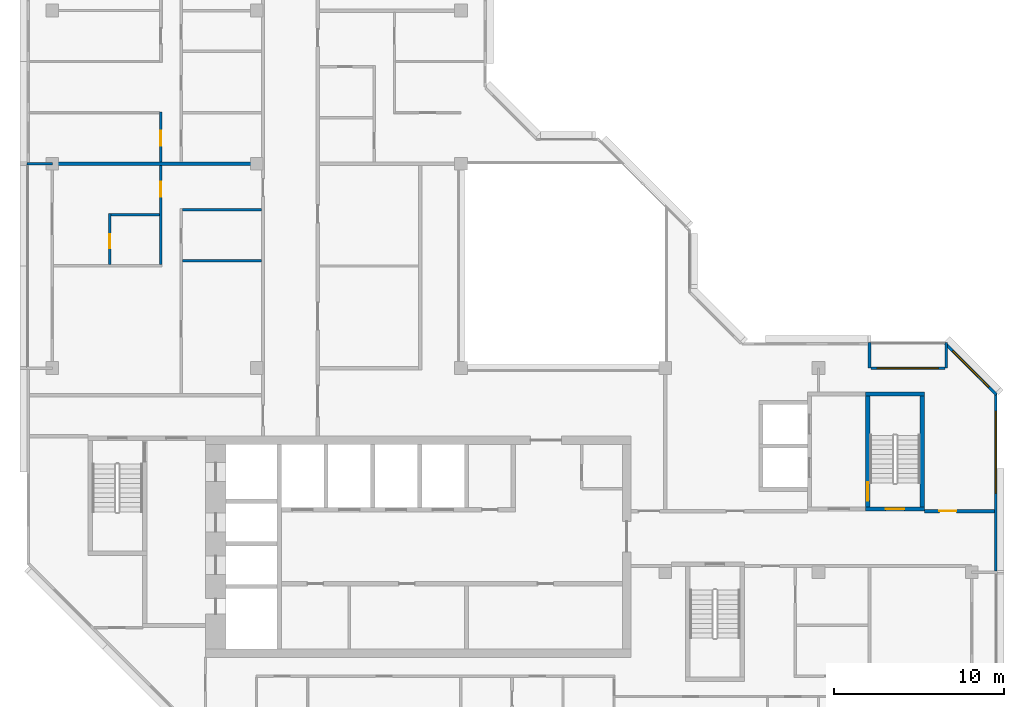
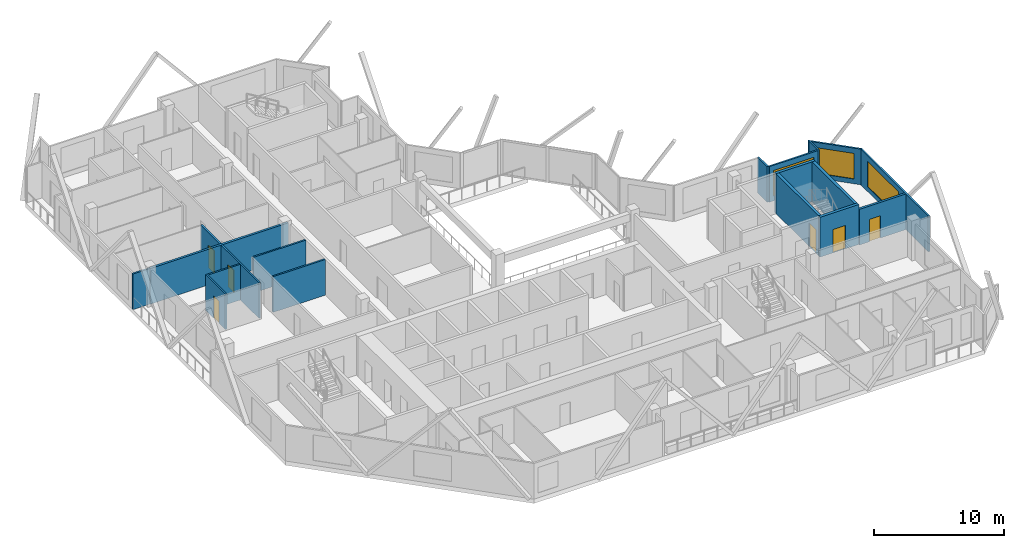
# One storey, part 7 of 12: 18 walls, 6 doors, 3 windows, 9 openings.
"""IFC4 building model written with IfcOpenShell, lengths in metres."""

from ifc_helpers import new_model, si_unit, direction, frame, frame_2d, origin, place, context, subcontext, project, spatial, rectangle, extrude, material, layer, layer_set, type_object, element, fill, save


model = new_model("IFC4")

# Units and contexts
model_context = context("Model", 3, precision=1e-05, world=origin(), true_north=direction((0.0, 1.0)))
body_context = subcontext(model_context, "Body", "Model", "MODEL_VIEW")
ifc_project = project(units=[si_unit("LENGTHUNIT", "METRE"), si_unit("AREAUNIT", "SQUARE_METRE"), si_unit("VOLUMEUNIT", "CUBIC_METRE"), si_unit("PLANEANGLEUNIT", "RADIAN"), si_unit("MASSUNIT", "GRAM", prefix="KILO")], contexts=[model_context])

# Site, building, storey
site_placement = place(None, origin())
site = spatial("IfcSite", under=ifc_project, at=site_placement, CompositionType="ELEMENT")
building_placement = place(site_placement, origin())
building = spatial("IfcBuilding", under=site, at=building_placement, Name="Chenar Terraces", CompositionType="ELEMENT")
storey_placement = place(building_placement, frame((0.0, 0.0, 338.89990234375)))
storey = spatial("IfcBuildingStorey", under=building, at=storey_placement, Name="L78", CompositionType="ELEMENT", Elevation=338.89990234375)

# Wall, opening, door
ifc_material_1 = material(Name="Concrete C50/60", Category="concrete")
ifc_layer_1 = layer(ifc_material_1, 0.25)
ifc_layer_set_1 = layer_set([ifc_layer_1], Name="Concrete C50/60")
wall_type_1 = type_object("IfcWallType", Name="Core wall 250 Concrete C50/60", PredefinedType="SHEAR", material=ifc_layer_set_1)
wall_1_placement = place(storey_placement, frame((47.77490234375, 15.72509765625, 0.0), z_axis=(0.0, 0.0, 1.0), x_axis=(1.0, 0.0, 0.0)))
wall_1 = element("IfcWall", 1, at=wall_1_placement, inside=storey, type_object=wall_type_1, Name="Core wall ST3_S L78", PredefinedType="SHEAR", context=body_context, shape_type="SweptSolid", body=[
    extrude(rectangle(XDim=3.4501953125, YDim=0.25, at=frame_2d((1.72509765625, 0.0))), origin(), (0.0, 0.0, 1.0), 3.75),
])
opening_1_placement = place(wall_1_placement, frame((1.175048828125, 0.0, 0.0)))
opening_1 = element("IfcOpeningElement", 2, at=opening_1_placement, cuts=wall_1, Name="Opening DL78-C8", PredefinedType="OPENING", context=body_context, shape_type="SweptSolid", body=[
    extrude(rectangle(XDim=1.10009765625, YDim=2.199951171875, at=frame_2d((0.550048828125, 1.10009765625))), frame((0.0, 0.135009765625, 0.0), z_axis=(0.0, -1.0, 0.0), x_axis=(1.0, 0.0, 0.0)), (0.0, 0.0, 1.0), 0.27001953125),
])
ifc_material_2 = material(Name="Steel-framed fire-resisting door leaf", Category="steel")
door_type_1 = type_object("IfcDoorType", Name="Stair fire door FD60 1100 x 2200", OperationType="SINGLE_SWING_LEFT", PredefinedType="DOOR", material=ifc_material_2)
door_1_placement = place(opening_1_placement, frame((1.10009765625, 0.0, 0.0), z_axis=(0.0, 0.0, 1.0), x_axis=(-1.0, 0.0, 0.0)))
door_1 = element("IfcDoor", 3, at=door_1_placement, inside=storey, type_object=door_type_1, Name="Stair door DL78-C8", OperationType="SINGLE_SWING_LEFT", OverallHeight=2.199951171875, OverallWidth=1.10009765625, PredefinedType="DOOR", context=body_context, shape_type="SweptSolid", body=[
    extrude(rectangle(XDim=1.10009765625, YDim=2.199951171875, at=frame_2d((0.550048828125, 1.10009765625))), frame((0.0, 0.02490234375, 0.0), z_axis=(0.0, -1.0, 0.0), x_axis=(1.0, 0.0, 0.0)), (0.0, 0.0, 1.0), 0.050048828125),
])
fill(opening_1, door_1)

# Wall
wall_2_placement = place(storey_placement, frame((47.77490234375, 22.47509765625, 0.0), z_axis=(0.0, 0.0, 1.0), x_axis=(1.0, 0.0, 0.0)))
element("IfcWall", 4, at=wall_2_placement, inside=storey, type_object=wall_type_1, Name="Core wall ST3_N L78", PredefinedType="SHEAR", context=body_context, shape_type="SweptSolid", body=[
    extrude(rectangle(XDim=3.4501953125, YDim=0.25, at=frame_2d((1.72509765625, 0.0))), origin(), (0.0, 0.0, 1.0), 3.75),
])

# Wall, opening, door
wall_3_placement = place(storey_placement, frame((47.89990234375, 15.85009765625, 0.0), z_axis=(0.0, 0.0, 1.0), x_axis=(0.0, 1.0, 0.0)))
wall_3 = element("IfcWall", 5, at=wall_3_placement, inside=storey, type_object=wall_type_1, Name="Core wall ST3_W L78", PredefinedType="SHEAR", context=body_context, shape_type="SweptSolid", body=[
    extrude(rectangle(XDim=6.5, YDim=0.25, at=frame_2d((3.25, 0.0))), origin(), (0.0, 0.0, 1.0), 3.75),
])
opening_2_placement = place(wall_3_placement, frame((0.35009765625, 0.0, 0.0)))
opening_2 = element("IfcOpeningElement", 6, at=opening_2_placement, cuts=wall_3, Name="Opening DL78-C11", PredefinedType="OPENING", context=body_context, shape_type="SweptSolid", body=[
    extrude(rectangle(XDim=1.10009765625, YDim=2.199951171875, at=frame_2d((0.550048828125, 1.10009765625))), frame((0.0, 0.135009765625, 0.0), z_axis=(0.0, -1.0, 0.0), x_axis=(1.0, 0.0, 0.0)), (0.0, 0.0, 1.0), 0.27001953125),
])
door_2_placement = place(opening_2_placement, frame((1.10009765625, 0.0, 0.0), z_axis=(0.0, 0.0, 1.0), x_axis=(-1.0, 0.0, 0.0)))
door_2 = element("IfcDoor", 7, at=door_2_placement, inside=storey, type_object=door_type_1, Name="Stair door DL78-C11", OperationType="SINGLE_SWING_RIGHT", OverallHeight=2.199951171875, OverallWidth=1.10009765625, PredefinedType="DOOR", context=body_context, shape_type="SweptSolid", body=[
    extrude(rectangle(XDim=1.10009765625, YDim=2.199951171875, at=frame_2d((0.550048828125, 1.10009765625))), frame((0.0, 0.02490234375, 0.0), z_axis=(0.0, -1.0, 0.0), x_axis=(1.0, 0.0, 0.0)), (0.0, 0.0, 1.0), 0.050048828125),
])
fill(opening_2, door_2)

# Wall
wall_4_placement = place(storey_placement, frame((51.10009765625, 15.85009765625, 0.0), z_axis=(0.0, 0.0, 1.0), x_axis=(0.0, 1.0, 0.0)))
element("IfcWall", 8, at=wall_4_placement, inside=storey, type_object=wall_type_1, Name="Core wall ST3_E L78", PredefinedType="SHEAR", context=body_context, shape_type="SweptSolid", body=[
    extrude(rectangle(XDim=6.5, YDim=0.25, at=frame_2d((3.25, 0.0))), origin(), (0.0, 0.0, 1.0), 3.75),
])

# Wall, opening, door
ifc_material_3 = material(Name="Gypsum board on steel studs with fire boards", Category="steel")
ifc_layer_2 = layer(ifc_material_3, 0.199951171875)
ifc_layer_set_2 = layer_set([ifc_layer_2], Name="Gypsum board on steel studs with fire boards")
wall_type_2 = type_object("IfcWallType", Name="Corridor wall 200", PredefinedType="PARTITIONING", material=ifc_layer_set_2)
wall_5_placement = place(storey_placement, frame((51.22509765625, 15.60009765625, 0.0), z_axis=(0.0, 0.0, 1.0), x_axis=(1.0, 0.0, 0.0)))
wall_5 = element("IfcWall", 9, at=wall_5_placement, inside=storey, type_object=wall_type_2, Name="Partition L78-063", PredefinedType="PARTITIONING", context=body_context, shape_type="SweptSolid", body=[
    extrude(rectangle(XDim=4.125, YDim=0.199951171875, at=frame_2d((2.0625, 0.0))), origin(), (0.0, 0.0, 1.0), 3.35009765625),
])
opening_3_placement = place(wall_5_placement, frame((0.875, 0.0, 0.0)))
opening_3 = element("IfcOpeningElement", 10, at=opening_3_placement, cuts=wall_5, Name="Opening DL78-22", PredefinedType="OPENING", context=body_context, shape_type="SweptSolid", body=[
    extrude(rectangle(XDim=1.0, YDim=2.10009765625, at=frame_2d((0.5, 1.050048828125))), frame((0.0, 0.10986328125, 0.0), z_axis=(0.0, -1.0, 0.0), x_axis=(1.0, 0.0, 0.0)), (0.0, 0.0, 1.0), 0.219970703125),
])
ifc_material_4 = material(Name="Steel-framed fire-resisting door leaf", Category="steel")
door_type_2 = type_object("IfcDoorType", Name="Fire door FD60 1000 x 2100", OperationType="SINGLE_SWING_LEFT", PredefinedType="DOOR", material=ifc_material_4)
door_3_placement = place(opening_3_placement, origin())
door_3 = element("IfcDoor", 11, at=door_3_placement, inside=storey, type_object=door_type_2, Name="Door DL78-22", OperationType="SINGLE_SWING_LEFT", OverallHeight=2.10009765625, OverallWidth=1.0, PredefinedType="DOOR", context=body_context, shape_type="SweptSolid", body=[
    extrude(rectangle(XDim=1.0, YDim=2.10009765625, at=frame_2d((0.5, 1.050048828125))), frame((0.0, 0.02490234375, 0.0), z_axis=(0.0, -1.0, 0.0), x_axis=(1.0, 0.0, 0.0)), (0.0, 0.0, 1.0), 0.050048828125),
])
fill(opening_3, door_3)

# Wall, opening, window
ifc_material_5 = material(Name="Aluminium framed glazing", Category="aluminium")
ifc_layer_3 = layer(ifc_material_5, 0.14990234375)
ifc_layer_set_3 = layer_set([ifc_layer_3], Name="Aluminium framed glazing")
wall_type_3 = type_object("IfcWallType", Name="Glazed flush facade wall 150", PredefinedType="SOLIDWALL", material=ifc_layer_set_3)
wall_6_placement = place(storey_placement, frame((55.425048828125, 12.074951171875, 0.0), z_axis=(0.0, 0.0, 1.0), x_axis=(0.0, 1.0, 0.0)))
wall_6 = element("IfcWall", 12, at=wall_6_placement, inside=storey, type_object=wall_type_3, Name="Glazed flush facade wall", PredefinedType="SOLIDWALL", context=body_context, shape_type="SweptSolid", body=[
    extrude(rectangle(XDim=10.425048828125, YDim=0.14990234375, at=frame_2d((5.21240234375, 0.0))), origin(), (0.0, 0.0, 1.0), 3.35009765625),
])
opening_4_placement = place(wall_6_placement, frame((4.574951171875, 0.0, 0.449951171875)))
opening_4 = element("IfcOpeningElement", 13, at=opening_4_placement, cuts=wall_6, Name="Opening W480x240", PredefinedType="OPENING", context=body_context, shape_type="SweptSolid", body=[
    extrude(rectangle(XDim=4.800048828125, YDim=2.39990234375, at=frame_2d((2.39990234375, 1.199951171875))), frame((0.0, 0.0849609375, 0.0), z_axis=(0.0, -1.0, 0.0), x_axis=(1.0, 0.0, 0.0)), (0.0, 0.0, 1.0), 0.169921875),
])
ifc_material_6 = material(Name="Low emissivity double glazing, aluminium frame", Category="aluminium")
window_type_1 = type_object("IfcWindowType", Name="Fixed light 4800 x 2400", PartitioningType="SINGLE_PANEL", PredefinedType="WINDOW", material=ifc_material_6)
window_1_placement = place(opening_4_placement, origin())
window_1 = element("IfcWindow", 14, at=window_1_placement, inside=storey, type_object=window_type_1, Name="Window", OverallHeight=2.39990234375, OverallWidth=4.800048828125, PartitioningType="SINGLE_PANEL", PredefinedType="WINDOW", context=body_context, shape_type="SweptSolid", body=[
    extrude(rectangle(XDim=4.800048828125, YDim=2.39990234375, at=frame_2d((2.39990234375, 1.199951171875))), frame((0.0, 0.030029296875, 0.0), z_axis=(0.0, -1.0, 0.0), x_axis=(1.0, 0.0, 0.0)), (0.0, 0.0, 1.0), 0.06005859375),
])
fill(opening_4, window_1)

ifc_material_7 = material(Name="Aluminium framed glazing", Category="aluminium")
ifc_layer_4 = layer(ifc_material_7, 0.14990234375)
ifc_layer_set_4 = layer_set([ifc_layer_4], Name="Aluminium framed glazing")
wall_type_4 = type_object("IfcWallType", Name="Glazed loggia back wall 150", PredefinedType="SOLIDWALL", material=ifc_layer_set_4)
wall_7_placement = place(storey_placement, frame((52.425048828125, 24.0, 0.0), z_axis=(0.0, 0.0, 1.0), x_axis=(-1.0, 0.0, 0.0)))
wall_7 = element("IfcWall", 15, at=wall_7_placement, inside=storey, type_object=wall_type_4, Name="Glazed loggia back wall", PredefinedType="SOLIDWALL", context=body_context, shape_type="SweptSolid", body=[
    extrude(rectangle(XDim=4.35009765625, YDim=0.14990234375, at=frame_2d((2.175048828125, 0.0))), origin(), (0.0, 0.0, 1.0), 3.35009765625),
])
opening_5_placement = place(wall_7_placement, frame((0.375, 0.0, 0.449951171875)))
opening_5 = element("IfcOpeningElement", 16, at=opening_5_placement, cuts=wall_7, Name="Opening W360x240", PredefinedType="OPENING", context=body_context, shape_type="SweptSolid", body=[
    extrude(rectangle(XDim=3.60009765625, YDim=2.39990234375, at=frame_2d((1.800048828125, 1.199951171875))), frame((0.0, 0.0849609375, 0.0), z_axis=(0.0, -1.0, 0.0), x_axis=(1.0, 0.0, 0.0)), (0.0, 0.0, 1.0), 0.169921875),
])
ifc_material_8 = material(Name="Low emissivity double glazing, aluminium frame", Category="aluminium")
window_type_2 = type_object("IfcWindowType", Name="Fixed light 3600 x 2400", PartitioningType="SINGLE_PANEL", PredefinedType="WINDOW", material=ifc_material_8)
window_2_placement = place(opening_5_placement, origin())
window_2 = element("IfcWindow", 17, at=window_2_placement, inside=storey, type_object=window_type_2, Name="Window", OverallHeight=2.39990234375, OverallWidth=3.60009765625, PartitioningType="SINGLE_PANEL", PredefinedType="WINDOW", context=body_context, shape_type="SweptSolid", body=[
    extrude(rectangle(XDim=3.60009765625, YDim=2.39990234375, at=frame_2d((1.800048828125, 1.199951171875))), frame((0.0, 0.030029296875, 0.0), z_axis=(0.0, -1.0, 0.0), x_axis=(1.0, 0.0, 0.0)), (0.0, 0.0, 1.0), 0.06005859375),
])
fill(opening_5, window_2)

# Walls
ifc_material_9 = material(Name="Terracotta cladding on insulated backing", Category="masonry")
ifc_layer_5 = layer(ifc_material_9, 0.14990234375)
ifc_layer_set_5 = layer_set([ifc_layer_5], Name="Terracotta cladding on insulated backing")
wall_type_5 = type_object("IfcWallType", Name="Loggia return wall 150", PredefinedType="SOLIDWALL", material=ifc_layer_set_5)
for number, where, z_axis, x_axis, name in (
    (18, (52.5, 25.5, 0.0), (0.0, 0.0, 1.0), (0.0, -1.0, 0.0), "Loggia return wall"),
    (19, (48.0, 25.5, 0.0), (0.0, 0.0, 1.0), (0.0, -1.0, 0.0), "Loggia return wall"),
    (20, (-1.5, 36.0, 0.0), (0.0, 0.0, 1.0), (1.0, 0.0, 0.0), "Loggia return wall"),
):
    element("IfcWall", number, at=place(storey_placement, frame(where, z_axis=z_axis, x_axis=x_axis)), inside=storey, type_object=wall_type_5, Name=name, PredefinedType="SOLIDWALL", context=body_context, shape_type="SweptSolid", body=[
        extrude(rectangle(XDim=1.5, YDim=0.14990234375, at=frame_2d((0.75, 0.0))), origin(), (0.0, 0.0, 1.0), 3.35009765625),
    ])

# Wall, opening, window
ifc_material_10 = material(Name="Terracotta cladding on insulated backing", Category="masonry")
ifc_layer_6 = layer(ifc_material_10, 0.14990234375)
ifc_layer_set_6 = layer_set([ifc_layer_6], Name="Terracotta cladding on insulated backing")
wall_type_6 = type_object("IfcWallType", Name="Terracotta rainscreen wall 150", PredefinedType="SOLIDWALL", material=ifc_layer_set_6)
wall_8_placement = place(storey_placement, frame((55.447021484375, 22.447021484375, 0.0), z_axis=(0.0, 0.0, 1.0), x_axis=(-0.707106781187, 0.707106781187, 0.0)))
wall_8 = element("IfcWall", 21, at=wall_8_placement, inside=storey, type_object=wall_type_6, Name="Terracotta rainscreen wall", PredefinedType="SOLIDWALL", context=body_context, shape_type="SweptSolid", body=[
    extrude(rectangle(XDim=4.24267578125, YDim=0.14990234375, at=frame_2d((2.121337890625, 0.0))), origin(), (0.0, 0.0, 1.0), 3.35009765625),
])
opening_6_placement = place(wall_8_placement, frame((0.621337890625, 0.0, 0.449951171875)))
opening_6 = element("IfcOpeningElement", 22, at=opening_6_placement, cuts=wall_8, Name="Opening W300x240", PredefinedType="OPENING", context=body_context, shape_type="SweptSolid", body=[
    extrude(rectangle(XDim=3.0, YDim=2.39990234375, at=frame_2d((1.5, 1.199951171875))), frame((0.0, 0.0849609375, 0.0), z_axis=(0.0, -1.0, 0.0), x_axis=(1.0, 0.0, 0.0)), (0.0, 0.0, 1.0), 0.169921875),
])
ifc_material_11 = material(Name="Low emissivity double glazing, aluminium frame", Category="aluminium")
window_type_3 = type_object("IfcWindowType", Name="Fixed light 3000 x 2400", PartitioningType="SINGLE_PANEL", PredefinedType="WINDOW", material=ifc_material_11)
window_3_placement = place(opening_6_placement, origin())
window_3 = element("IfcWindow", 23, at=window_3_placement, inside=storey, type_object=window_type_3, Name="Window", OverallHeight=2.39990234375, OverallWidth=3.0, PartitioningType="SINGLE_PANEL", PredefinedType="WINDOW", context=body_context, shape_type="SweptSolid", body=[
    extrude(rectangle(XDim=3.0, YDim=2.39990234375, at=frame_2d((1.5, 1.199951171875))), frame((0.0, 0.030029296875, 0.0), z_axis=(0.0, -1.0, 0.0), x_axis=(1.0, 0.0, 0.0)), (0.0, 0.0, 1.0), 0.06005859375),
])
fill(opening_6, window_3)

# Wall
ifc_material_12 = material(Name="Twin gypsum board on steel studs with mineral wool", Category="steel")
ifc_layer_7 = layer(ifc_material_12, 0.199951171875)
ifc_layer_set_7 = layer_set([ifc_layer_7], Name="Twin gypsum board on steel studs with mineral wool")
wall_type_7 = type_object("IfcWallType", Name="Unit demising wall 200", PredefinedType="PARTITIONING", material=ifc_layer_set_7)
wall_9_placement = place(storey_placement, frame((0.0, 36.0, 0.0), z_axis=(0.0, 0.0, 1.0), x_axis=(1.0, 0.0, 0.0)))
element("IfcWall", 24, at=wall_9_placement, inside=storey, type_object=wall_type_7, Name="Partition L78-003", PredefinedType="PARTITIONING", context=body_context, shape_type="SweptSolid", body=[
    extrude(rectangle(XDim=12.27490234375, YDim=0.199951171875, at=frame_2d((6.137451171875, 0.0))), origin(), (0.0, 0.0, 1.0), 3.35009765625),
])

# Wall, opening, door
ifc_material_13 = material(Name="Moisture-resistant gypsum board on steel studs", Category="steel")
ifc_layer_8 = layer(ifc_material_13, 0.14990234375)
ifc_layer_set_8 = layer_set([ifc_layer_8], Name="Moisture-resistant gypsum board on steel studs")
wall_type_8 = type_object("IfcWallType", Name="Wet-room partition 150", PredefinedType="PARTITIONING", material=ifc_layer_set_8)
wall_10_placement = place(storey_placement, frame((3.375, 30.074951171875, 0.0), z_axis=(0.0, 0.0, 1.0), x_axis=(0.0, 1.0, 0.0)))
wall_10 = element("IfcWall", 25, at=wall_10_placement, inside=storey, type_object=wall_type_8, Name="Partition L78-010", PredefinedType="PARTITIONING", context=body_context, shape_type="SweptSolid", body=[
    extrude(rectangle(XDim=3.0, YDim=0.14990234375, at=frame_2d((1.5, 0.0))), origin(), (0.0, 0.0, 1.0), 3.35009765625),
])
opening_7_placement = place(wall_10_placement, frame((0.97509765625, 0.0, 0.0)))
opening_7 = element("IfcOpeningElement", 26, at=opening_7_placement, cuts=wall_10, Name="Opening DL78-42", PredefinedType="OPENING", context=body_context, shape_type="SweptSolid", body=[
    extrude(rectangle(XDim=0.800048828125, YDim=2.10009765625, at=frame_2d((0.39990234375, 1.050048828125))), frame((0.0, 0.0849609375, 0.0), z_axis=(0.0, -1.0, 0.0), x_axis=(1.0, 0.0, 0.0)), (0.0, 0.0, 1.0), 0.169921875),
])
ifc_material_14 = material(Name="Veneered timber door leaf", Category="wood")
door_type_3 = type_object("IfcDoorType", Name="Door 800 x 2100", OperationType="SINGLE_SWING_LEFT", PredefinedType="DOOR", material=ifc_material_14)
door_4_placement = place(opening_7_placement, frame((0.800048828125, 0.0, 0.0), z_axis=(0.0, 0.0, 1.0), x_axis=(-1.0, 0.0, 0.0)))
door_4 = element("IfcDoor", 27, at=door_4_placement, inside=storey, type_object=door_type_3, Name="Door DL78-42", OperationType="SINGLE_SWING_RIGHT", OverallHeight=2.10009765625, OverallWidth=0.800048828125, PredefinedType="DOOR", context=body_context, shape_type="SweptSolid", body=[
    extrude(rectangle(XDim=0.800048828125, YDim=2.10009765625, at=frame_2d((0.39990234375, 1.050048828125))), frame((0.0, 0.02490234375, 0.0), z_axis=(0.0, -1.0, 0.0), x_axis=(1.0, 0.0, 0.0)), (0.0, 0.0, 1.0), 0.050048828125),
])
fill(opening_7, door_4)

# Wall
wall_11_placement = place(storey_placement, frame((3.449951171875, 33.0, 0.0), z_axis=(0.0, 0.0, 1.0), x_axis=(1.0, 0.0, 0.0)))
element("IfcWall", 28, at=wall_11_placement, inside=storey, type_object=wall_type_8, Name="Partition L78-012", PredefinedType="PARTITIONING", context=body_context, shape_type="SweptSolid", body=[
    extrude(rectangle(XDim=2.85009765625, YDim=0.14990234375, at=frame_2d((1.425048828125, 0.0))), origin(), (0.0, 0.0, 1.0), 3.35009765625),
])

# Wall, opening, door
wall_12_placement = place(storey_placement, frame((6.375, 30.074951171875, 0.0), z_axis=(0.0, 0.0, 1.0), x_axis=(0.0, 1.0, 0.0)))
wall_12 = element("IfcWall", 29, at=wall_12_placement, inside=storey, type_object=wall_type_8, Name="Partition L78-014", PredefinedType="PARTITIONING", context=body_context, shape_type="SweptSolid", body=[
    extrude(rectangle(XDim=5.824951171875, YDim=0.14990234375, at=frame_2d((2.91259765625, 0.0))), origin(), (0.0, 0.0, 1.0), 3.35009765625),
])
opening_8_placement = place(wall_12_placement, frame((3.97509765625, 0.0, 0.0)))
opening_8 = element("IfcOpeningElement", 30, at=opening_8_placement, cuts=wall_12, Name="Opening DL78-41", PredefinedType="OPENING", context=body_context, shape_type="SweptSolid", body=[
    extrude(rectangle(XDim=0.89990234375, YDim=2.10009765625, at=frame_2d((0.449951171875, 1.050048828125))), frame((0.0, 0.0849609375, 0.0), z_axis=(0.0, -1.0, 0.0), x_axis=(1.0, 0.0, 0.0)), (0.0, 0.0, 1.0), 0.169921875),
])
ifc_material_15 = material(Name="Veneered timber door leaf", Category="wood")
door_type_4 = type_object("IfcDoorType", Name="Door 900 x 2100", OperationType="SINGLE_SWING_LEFT", PredefinedType="DOOR", material=ifc_material_15)
door_5_placement = place(opening_8_placement, origin())
door_5 = element("IfcDoor", 31, at=door_5_placement, inside=storey, type_object=door_type_4, Name="Door DL78-41", OperationType="SINGLE_SWING_RIGHT", OverallHeight=2.10009765625, OverallWidth=0.89990234375, PredefinedType="DOOR", context=body_context, shape_type="SweptSolid", body=[
    extrude(rectangle(XDim=0.89990234375, YDim=2.10009765625, at=frame_2d((0.449951171875, 1.050048828125))), frame((0.0, 0.02490234375, 0.0), z_axis=(0.0, -1.0, 0.0), x_axis=(1.0, 0.0, 0.0)), (0.0, 0.0, 1.0), 0.050048828125),
])
fill(opening_8, door_5)

wall_13_placement = place(storey_placement, frame((6.375, 36.10009765625, 0.0), z_axis=(0.0, 0.0, 1.0), x_axis=(0.0, 1.0, 0.0)))
wall_13 = element("IfcWall", 32, at=wall_13_placement, inside=storey, type_object=wall_type_8, Name="Partition L78-015", PredefinedType="PARTITIONING", context=body_context, shape_type="SweptSolid", body=[
    extrude(rectangle(XDim=2.949951171875, YDim=0.14990234375, at=frame_2d((1.47509765625, 0.0))), origin(), (0.0, 0.0, 1.0), 3.35009765625),
])
opening_9_placement = place(wall_13_placement, frame((0.949951171875, 0.0, 0.0)))
opening_9 = element("IfcOpeningElement", 33, at=opening_9_placement, cuts=wall_13, Name="Opening DL78-10", PredefinedType="OPENING", context=body_context, shape_type="SweptSolid", body=[
    extrude(rectangle(XDim=0.89990234375, YDim=2.10009765625, at=frame_2d((0.449951171875, 1.050048828125))), frame((0.0, 0.0849609375, 0.0), z_axis=(0.0, -1.0, 0.0), x_axis=(1.0, 0.0, 0.0)), (0.0, 0.0, 1.0), 0.169921875),
])
door_6_placement = place(opening_9_placement, origin())
door_6 = element("IfcDoor", 34, at=door_6_placement, inside=storey, type_object=door_type_4, Name="Door DL78-10", OperationType="SINGLE_SWING_RIGHT", OverallHeight=2.10009765625, OverallWidth=0.89990234375, PredefinedType="DOOR", context=body_context, shape_type="SweptSolid", body=[
    extrude(rectangle(XDim=0.89990234375, YDim=2.10009765625, at=frame_2d((0.449951171875, 1.050048828125))), frame((0.0, 0.02490234375, 0.0), z_axis=(0.0, -1.0, 0.0), x_axis=(1.0, 0.0, 0.0)), (0.0, 0.0, 1.0), 0.050048828125),
])
fill(opening_9, door_6)

# Walls
for number, where, z_axis, x_axis, name in (
    (35, (7.64990234375, 30.300048828125, 0.0), (0.0, 0.0, 1.0), (1.0, 0.0, 0.0), "Partition L78-019"),
    (36, (7.64990234375, 33.300048828125, 0.0), (0.0, 0.0, 1.0), (1.0, 0.0, 0.0), "Partition L78-020"),
):
    element("IfcWall", number, at=place(storey_placement, frame(where, z_axis=z_axis, x_axis=x_axis)), inside=storey, type_object=wall_type_8, Name=name, PredefinedType="PARTITIONING", context=body_context, shape_type="SweptSolid", body=[
        extrude(rectangle(XDim=4.625, YDim=0.14990234375, at=frame_2d((2.3125, 0.0))), origin(), (0.0, 0.0, 1.0), 3.35009765625),
    ])

save(model, "model.ifc")
